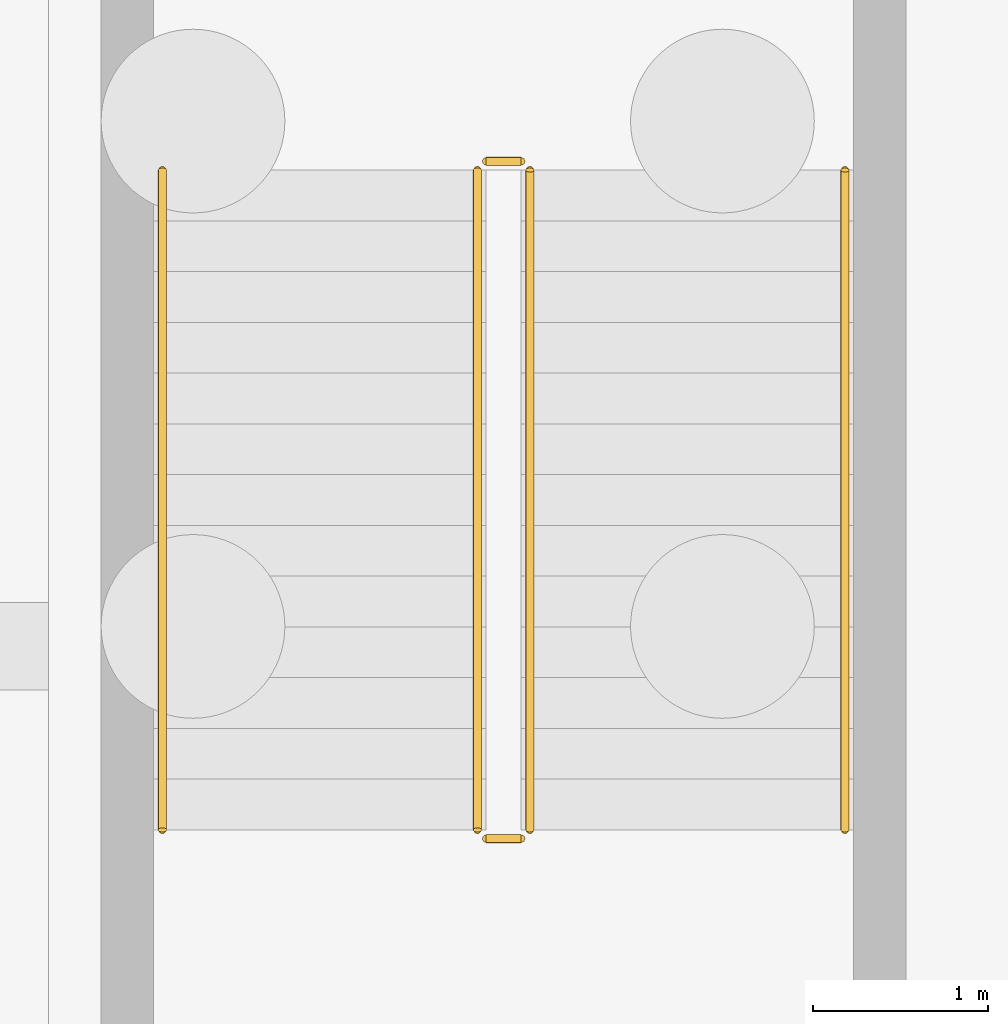
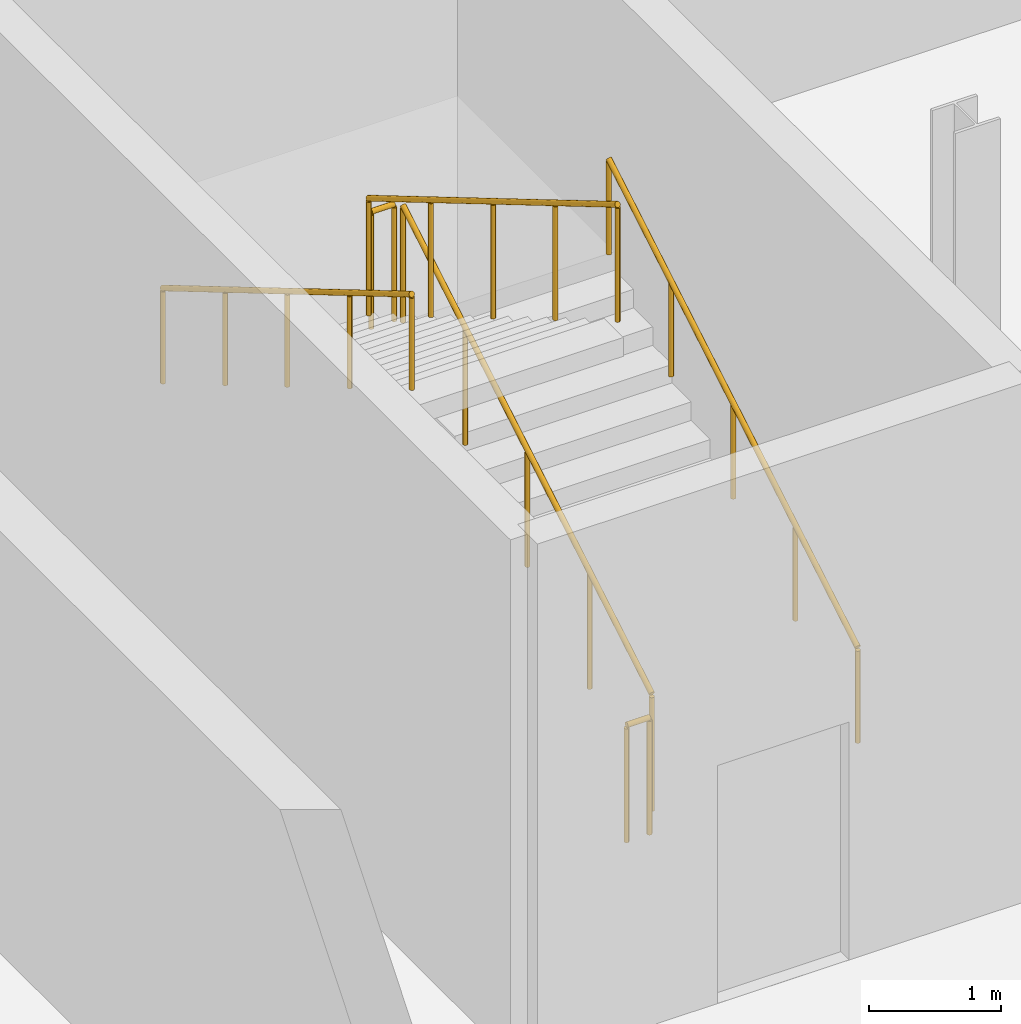
# One storey, part 33 of 37: 6 railings.
"""IFC4 building model written with IfcOpenShell, lengths in metres."""

from ifc_helpers import new_model, si_unit, direction, frame, origin, origin_2d, place, context, subcontext, project, spatial, circle, extrude, material, type_object, element, save


model = new_model("IFC4")

# Units and contexts
model_context = context("Model", 3, precision=1e-05, world=origin(), true_north=direction((0.0, 1.0)))
body_context = subcontext(model_context, "Body", "Model", "MODEL_VIEW")
ifc_project = project(units=[si_unit("LENGTHUNIT", "METRE"), si_unit("AREAUNIT", "SQUARE_METRE"), si_unit("VOLUMEUNIT", "CUBIC_METRE"), si_unit("PLANEANGLEUNIT", "RADIAN"), si_unit("MASSUNIT", "GRAM", prefix="KILO"), si_unit("THERMODYNAMICTEMPERATUREUNIT", "KELVIN"), si_unit("POWERUNIT", "WATT")], contexts=[model_context])

# Site, building, storey
site_placement = place(None, origin())
site = spatial("IfcSite", under=ifc_project, at=site_placement, CompositionType="ELEMENT")
building_placement = place(site_placement, origin())
building = spatial("IfcBuilding", under=site, at=building_placement, Name="Zelmaris Science Centre", CompositionType="ELEMENT")
storey_placement = place(building_placement, frame((0.0, 0.0, -4.800048828125)))
storey = spatial("IfcBuildingStorey", under=building, at=storey_placement, Name="B1", CompositionType="ELEMENT", Elevation=-4.800048828125)

# Railings
ifc_material = material(Name="Architectural bronze alloy C28000")
railing_type_1 = type_object("IfcRailingType", Name="Balustrade GD-01 H1120", PredefinedType="BALUSTRADE", material=ifc_material)
railing_1_placement = place(storey_placement, frame((14.64990234375, 30.949951171875, 0.17138671875)))
element("IfcRailing", 1, at=railing_1_placement, inside=storey, type_object=railing_type_1, Name="B1 ST-6 stair guard 1", PredefinedType="BALUSTRADE", context=body_context, shape_type="SweptSolid", body=[
    extrude(circle(Radius=0.02392578125, at=origin_2d()), frame((0.0, 0.0, 1.076171875), z_axis=(0.0, 0.860824410104, 0.508902087802), x_axis=(-1.0, 0.0, 0.0)), (0.0, 0.0, 1.0), 4.379638671875),
    extrude(circle(Radius=0.02099609375, at=origin_2d()), origin(), (0.0, 0.0, 1.0), 1.052001953125),
    extrude(circle(Radius=0.02099609375, at=origin_2d()), frame((0.0, 0.9423828125, 0.55712890625)), (0.0, 0.0, 1.0), 1.052001953125),
    extrude(circle(Radius=0.02099609375, at=origin_2d()), frame((0.0, 1.885009765625, 1.1142578125)), (0.0, 0.0, 1.0), 1.052001953125),
    extrude(circle(Radius=0.02099609375, at=origin_2d()), frame((0.0, 2.82763671875, 1.671630859375)), (0.0, 0.0, 1.0), 1.052001953125),
    extrude(circle(Radius=0.02099609375, at=origin_2d()), frame((0.0, 3.77001953125, 2.228759765625)), (0.0, 0.0, 1.0), 1.052001953125),
])
railing_2_placement = place(storey_placement, frame((14.60009765625, 34.77001953125, 2.400146484375)))
element("IfcRailing", 2, at=railing_2_placement, inside=storey, type_object=railing_type_1, Name="B1 ST-6 stair guard 2", PredefinedType="BALUSTRADE", context=body_context, shape_type="SweptSolid", body=[
    extrude(circle(Radius=0.02392578125, at=origin_2d()), frame((0.0, 0.0, 1.076171875), z_axis=(-1.0, 0.0, 0.0), x_axis=(0.0, -1.0, 0.0)), (0.0, 0.0, 1.0), 0.2001953125),
    extrude(circle(Radius=0.02099609375, at=origin_2d()), origin(), (0.0, 0.0, 1.0), 1.052001953125),
    extrude(circle(Radius=0.02099609375, at=origin_2d()), frame((-0.2001953125, 0.0, 0.0)), (0.0, 0.0, 1.0), 1.052001953125),
])
railing_3_placement = place(storey_placement, frame((14.35009765625, 34.719970703125, 2.571533203125)))
element("IfcRailing", 3, at=railing_3_placement, inside=storey, type_object=railing_type_1, Name="B1 ST-6 stair guard 3", PredefinedType="BALUSTRADE", context=body_context, shape_type="SweptSolid", body=[
    extrude(circle(Radius=0.02392578125, at=origin_2d()), frame((0.0, 0.0, 1.076171875), z_axis=(0.0, -0.860848830602, 0.508860777473), x_axis=(1.0, 0.0, 0.0)), (0.0, 0.0, 1.0), 4.37939453125),
    extrude(circle(Radius=0.02099609375, at=origin_2d()), origin(), (0.0, 0.0, 1.0), 1.052001953125),
    extrude(circle(Radius=0.02099609375, at=origin_2d()), frame((0.0, -0.9423828125, 0.55712890625)), (0.0, 0.0, 1.0), 1.052001953125),
    extrude(circle(Radius=0.02099609375, at=origin_2d()), frame((0.0, -1.885009765625, 1.1142578125)), (0.0, 0.0, 1.0), 1.052001953125),
    extrude(circle(Radius=0.02099609375, at=origin_2d()), frame((0.0, -2.82763671875, 1.67138671875)), (0.0, 0.0, 1.0), 1.052001953125),
    extrude(circle(Radius=0.02099609375, at=origin_2d()), frame((0.0, -3.77001953125, 2.228515625)), (0.0, 0.0, 1.0), 1.052001953125),
])
railing_4_placement = place(storey_placement, frame((14.60009765625, 30.89990234375, 0.0)))
element("IfcRailing", 4, at=railing_4_placement, inside=storey, type_object=railing_type_1, Name="B1 ST-6 stair guard 4", PredefinedType="BALUSTRADE", context=body_context, shape_type="SweptSolid", body=[
    extrude(circle(Radius=0.02392578125, at=origin_2d()), frame((0.0, 0.0, 1.076171875), z_axis=(-1.0, 0.0, 0.0), x_axis=(0.0, -1.0, 0.0)), (0.0, 0.0, 1.0), 0.2001953125),
    extrude(circle(Radius=0.02099609375, at=origin_2d()), origin(), (0.0, 0.0, 1.0), 1.052001953125),
    extrude(circle(Radius=0.02099609375, at=origin_2d()), frame((-0.2001953125, 0.0, 0.0)), (0.0, 0.0, 1.0), 1.052001953125),
])
railing_type_2 = type_object("IfcRailingType", Name="Handrail HR-01 H900", PredefinedType="HANDRAIL", material=ifc_material)
railing_5_placement = place(storey_placement, frame((16.449951171875, 30.949951171875, 0.17138671875)))
element("IfcRailing", 5, at=railing_5_placement, inside=storey, type_object=railing_type_2, Name="B1 ST-6 stair handrail 1", PredefinedType="HANDRAIL", context=body_context, shape_type="SweptSolid", body=[
    extrude(circle(Radius=0.02392578125, at=origin_2d()), frame((0.0, 0.0, 0.8759765625), z_axis=(0.0, 0.860824410104, 0.508902087802), x_axis=(-1.0, 0.0, 0.0)), (0.0, 0.0, 1.0), 4.379638671875),
    extrude(circle(Radius=0.02099609375, at=origin_2d()), origin(), (0.0, 0.0, 1.0), 0.851806640625),
    extrude(circle(Radius=0.02099609375, at=origin_2d()), frame((0.0, 0.9423828125, 0.55712890625)), (0.0, 0.0, 1.0), 0.851806640625),
    extrude(circle(Radius=0.02099609375, at=origin_2d()), frame((0.0, 1.885009765625, 1.1142578125)), (0.0, 0.0, 1.0), 0.851806640625),
    extrude(circle(Radius=0.02099609375, at=origin_2d()), frame((0.0, 2.82763671875, 1.671630859375)), (0.0, 0.0, 1.0), 0.851806640625),
    extrude(circle(Radius=0.02099609375, at=origin_2d()), frame((0.0, 3.77001953125, 2.228759765625)), (0.0, 0.0, 1.0), 0.851806640625),
])
railing_6_placement = place(storey_placement, frame((12.550048828125, 34.719970703125, 2.571533203125)))
element("IfcRailing", 6, at=railing_6_placement, inside=storey, type_object=railing_type_2, Name="B1 ST-6 stair handrail 2", PredefinedType="HANDRAIL", context=body_context, shape_type="SweptSolid", body=[
    extrude(circle(Radius=0.02392578125, at=origin_2d()), frame((0.0, 0.0, 0.8759765625), z_axis=(0.0, -0.860848830602, 0.508860777473), x_axis=(1.0, 0.0, 0.0)), (0.0, 0.0, 1.0), 4.37939453125),
    extrude(circle(Radius=0.02099609375, at=origin_2d()), origin(), (0.0, 0.0, 1.0), 0.851806640625),
    extrude(circle(Radius=0.02099609375, at=origin_2d()), frame((0.0, -0.9423828125, 0.55712890625)), (0.0, 0.0, 1.0), 0.851806640625),
    extrude(circle(Radius=0.02099609375, at=origin_2d()), frame((0.0, -1.885009765625, 1.1142578125)), (0.0, 0.0, 1.0), 0.851806640625),
    extrude(circle(Radius=0.02099609375, at=origin_2d()), frame((0.0, -2.82763671875, 1.67138671875)), (0.0, 0.0, 1.0), 0.851806640625),
    extrude(circle(Radius=0.02099609375, at=origin_2d()), frame((0.0, -3.77001953125, 2.228515625)), (0.0, 0.0, 1.0), 0.851806640625),
])

save(model, "model.ifc")
